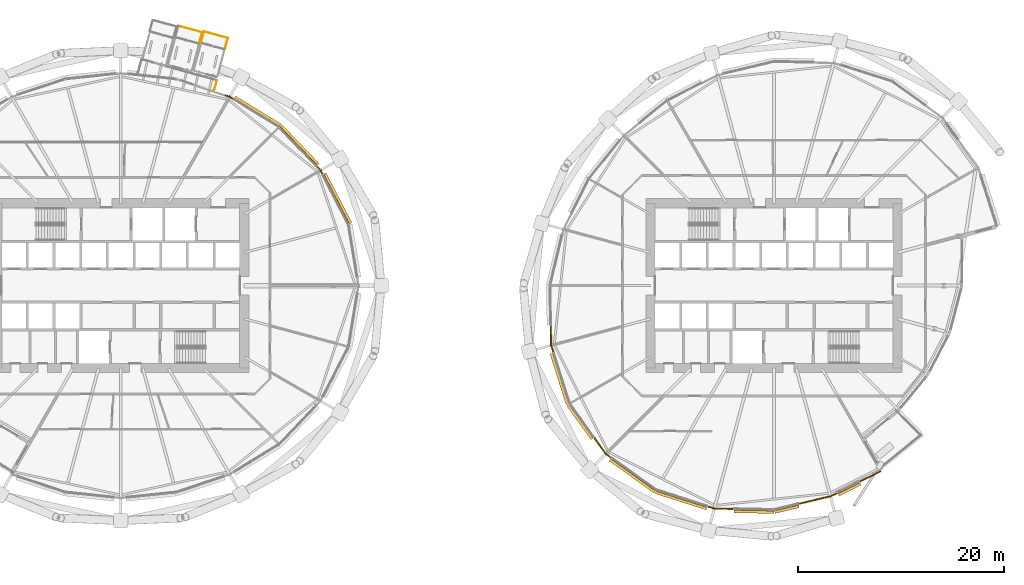
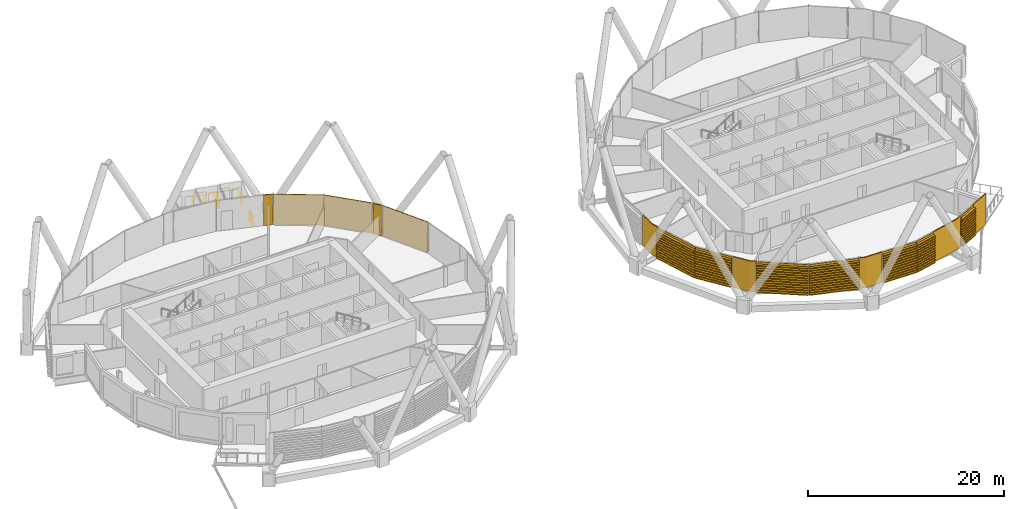
# One storey, part 37 of 40: 17 coverings, 6 railings.
"""IFC4 building model written with IfcOpenShell, lengths in metres."""

from ifc_helpers import new_model, si_unit, direction, frame, origin, origin_2d, place, context, subcontext, project, spatial, polyline, circle, outline, extrude, material, layer, layer_set, material_profile, profile_set, type_object, element, save


model = new_model("IFC4")

# Units and contexts
model_context = context("Model", 3, precision=1e-05, world=origin(), true_north=direction((0.0, 1.0)))
body_context = subcontext(model_context, "Body", "Model", "MODEL_VIEW")
ifc_project = project(units=[si_unit("LENGTHUNIT", "METRE"), si_unit("AREAUNIT", "SQUARE_METRE"), si_unit("VOLUMEUNIT", "CUBIC_METRE"), si_unit("PLANEANGLEUNIT", "RADIAN"), si_unit("MASSUNIT", "GRAM", prefix="KILO")], contexts=[model_context])

# Site, building, storey
site_placement = place(None, origin())
site = spatial("IfcSite", under=ifc_project, at=site_placement, CompositionType="ELEMENT")
building_placement = place(site_placement, origin())
building = spatial("IfcBuilding", under=site, at=building_placement, Name="Rimbun Link Towers", CompositionType="ELEMENT")
storey_placement = place(building_placement, frame((0.0, 0.0, 52.800048828125)))
storey = spatial("IfcBuildingStorey", under=building, at=storey_placement, Name="L12", CompositionType="ELEMENT", Elevation=52.800048828125)

# Railings
ifc_material_1 = material(Name="Stainless steel grade 316", Category="steel")
railing_type = type_object("IfcRailingType", Name="GUARD stainless rail and posts", PredefinedType="GUARDRAIL", material=ifc_material_1)
railing_1_placement = place(storey_placement, frame((-24.115478515625, 23.5556640625, 0.0)))
element("IfcRailing", 1, at=railing_1_placement, inside=storey, type_object=railing_type, Name="GUARD D121.02 balcony", PredefinedType="GUARDRAIL", context=body_context, shape_type="SweptSolid", body=[
    extrude(circle(Radius=0.02392578125, at=origin_2d()), frame((0.0, 0.0, 1.076171875), z_axis=(0.261915191828, 0.965090893279, 0.0), x_axis=(-0.965090893279, 0.261915191828, 0.0)), (0.0, 0.0, 1.0), 1.099853515625),
    extrude(circle(Radius=0.02099609375, at=origin_2d()), origin(), (0.0, 0.0, 1.0), 1.052001953125),
    extrude(circle(Radius=0.02099609375, at=origin_2d()), frame((0.2880859375, 1.0615234375, 0.0)), (0.0, 0.0, 1.0), 1.052001953125),
])
railing_2_placement = place(storey_placement, frame((-23.827392578125, 24.6171875, 0.0)))
element("IfcRailing", 2, at=railing_2_placement, inside=storey, type_object=railing_type, Name="GUARD D121.02 balcony", PredefinedType="GUARDRAIL", context=body_context, shape_type="SweptSolid", body=[
    extrude(circle(Radius=0.02392578125, at=origin_2d()), frame((0.0, 0.0, 1.076171875), z_axis=(-0.965108089312, 0.261851820585, 0.0), x_axis=(-0.261851820585, -0.965108089312, 0.0)), (0.0, 0.0, 1.0), 2.39990234375),
    extrude(circle(Radius=0.02099609375, at=origin_2d()), origin(), (0.0, 0.0, 1.0), 1.052001953125),
    extrude(circle(Radius=0.02099609375, at=origin_2d()), frame((-1.158203125, 0.314208984375, 0.0)), (0.0, 0.0, 1.0), 1.052001953125),
    extrude(circle(Radius=0.02099609375, at=origin_2d()), frame((-2.316162109375, 0.62841796875, 0.0)), (0.0, 0.0, 1.0), 1.052001953125),
])
railing_3_placement = place(storey_placement, frame((-21.625732421875, 23.004150390625, 0.0)))
element("IfcRailing", 3, at=railing_3_placement, inside=storey, type_object=railing_type, Name="GUARD D121.03 balcony", PredefinedType="GUARDRAIL", context=body_context, shape_type="SweptSolid", body=[
    extrude(circle(Radius=0.02392578125, at=origin_2d()), frame((0.0, 0.0, 1.076171875), z_axis=(0.261915191828, 0.965090893279, 0.0), x_axis=(-0.965090893279, 0.261915191828, 0.0)), (0.0, 0.0, 1.0), 1.099853515625),
    extrude(circle(Radius=0.02099609375, at=origin_2d()), origin(), (0.0, 0.0, 1.0), 1.052001953125),
    extrude(circle(Radius=0.02099609375, at=origin_2d()), frame((0.2880859375, 1.0615234375, 0.0)), (0.0, 0.0, 1.0), 1.052001953125),
])
railing_4_placement = place(storey_placement, frame((-21.337646484375, 24.065673828125, 0.0)))
element("IfcRailing", 4, at=railing_4_placement, inside=storey, type_object=railing_type, Name="GUARD D121.03 balcony", PredefinedType="GUARDRAIL", context=body_context, shape_type="SweptSolid", body=[
    extrude(circle(Radius=0.02392578125, at=origin_2d()), frame((0.0, 0.0, 1.076171875), z_axis=(-0.965115063511, 0.261826114405, 0.0), x_axis=(-0.261826114405, -0.965115063511, 0.0)), (0.0, 0.0, 1.0), 2.400146484375),
    extrude(circle(Radius=0.02099609375, at=origin_2d()), origin(), (0.0, 0.0, 1.0), 1.052001953125),
    extrude(circle(Radius=0.02099609375, at=origin_2d()), frame((-0.772216796875, 0.20947265625, 0.0)), (0.0, 0.0, 1.0), 1.052001953125),
    extrude(circle(Radius=0.02099609375, at=origin_2d()), frame((-1.544189453125, 0.4189453125, 0.0)), (0.0, 0.0, 1.0), 1.052001953125),
    extrude(circle(Radius=0.02099609375, at=origin_2d()), frame((-2.31640625, 0.62841796875, 0.0)), (0.0, 0.0, 1.0), 1.052001953125),
])
railing_5_placement = place(storey_placement, frame((-23.654052734375, 24.694091796875, 0.0)))
element("IfcRailing", 5, at=railing_5_placement, inside=storey, type_object=railing_type, Name="GUARD D121.03 balcony", PredefinedType="GUARDRAIL", context=body_context, shape_type="SweptSolid", body=[
    extrude(circle(Radius=0.02392578125, at=origin_2d()), frame((0.0, 0.0, 1.076171875), z_axis=(-0.261915191828, -0.965090893279, 0.0), x_axis=(0.965090893279, -0.261915191828, 0.0)), (0.0, 0.0, 1.0), 1.099853515625),
    extrude(circle(Radius=0.02099609375, at=origin_2d()), origin(), (0.0, 0.0, 1.0), 1.052001953125),
    extrude(circle(Radius=0.02099609375, at=origin_2d()), frame((-0.2880859375, -1.0615234375, 0.0)), (0.0, 0.0, 1.0), 1.052001953125),
])
railing_6_placement = place(storey_placement, frame((-22.399658203125, 19.961181640625, 0.0)))
element("IfcRailing", 6, at=railing_6_placement, inside=storey, type_object=railing_type, Name="GUARD D121 gallery", PredefinedType="GUARDRAIL", context=body_context, shape_type="SweptSolid", body=[
    extrude(circle(Radius=0.02392578125, at=origin_2d()), frame((0.0, 0.0, 1.076171875), z_axis=(-0.261703245026, -0.965148388354, 0.0), x_axis=(0.965148388354, -0.261703245026, 0.0)), (0.0, 0.0, 1.0), 1.037353515625),
    extrude(circle(Radius=0.02099609375, at=origin_2d()), origin(), (0.0, 0.0, 1.0), 1.052001953125),
    extrude(circle(Radius=0.02099609375, at=origin_2d()), frame((-0.271484375, -1.001220703125, 0.0)), (0.0, 0.0, 1.0), 1.052001953125),
])

# Coverings
ifc_material_2 = material(Name="Terracotta", Category="masonry")
ifc_layer = layer(ifc_material_2, 0.1201171875)
ifc_layer_set = layer_set([ifc_layer], Name="LINK PIER terracotta cladding 120")
covering_type_1 = type_object("IfcCoveringType", Name="LINK PIER terracotta cladding 120", PredefinedType="CLADDING", material=ifc_layer_set)
covering_1_placement = place(storey_placement, origin())
element("IfcCovering", 7, at=covering_1_placement, inside=storey, type_object=covering_type_1, Name="LINK PIER cladding", PredefinedType="CLADDING", context=body_context, shape_type="SweptSolid", body=[
    extrude(outline(polyline([(-12.736328125, 11.560546875), (-12.37646484375, 11.185302734375), (-12.18359375, 10.812255859375), (-12.076904296875, 10.867431640625), (-12.27783203125, 11.255859375), (-12.649658203125, 11.643798828125), (-12.736328125, 11.560546875)])), origin(), (0.0, 0.0, 1.0), 3.800048828125),
])
covering_2_placement = place(storey_placement, origin())
element("IfcCovering", 8, at=covering_2_placement, inside=storey, type_object=covering_type_1, Name="LINK PIER cladding", PredefinedType="CLADDING", context=body_context, shape_type="SweptSolid", body=[
    extrude(outline(polyline([(-21.672607421875, 18.47314453125), (-21.178955078125, 18.3095703125), (-20.821044921875, 18.08984375), (-20.75830078125, 18.19189453125), (-21.128173828125, 18.4189453125), (-21.634765625, 18.5869140625), (-21.672607421875, 18.47314453125)])), origin(), (0.0, 0.0, 1.0), 3.800048828125),
])
covering_3_placement = place(storey_placement, origin())
element("IfcCovering", 9, at=covering_3_placement, inside=storey, type_object=covering_type_1, Name="LINK PIER cladding", PredefinedType="CLADDING", context=body_context, shape_type="SweptSolid", body=[
    extrude(outline(polyline([(10.35986328125, -6.47607421875), (10.1416015625, -5.789794921875), (10.101318359375, -3.870361328125), (9.981201171875, -3.872802734375), (10.02197265625, -5.809814453125), (10.24560546875, -6.512451171875), (10.35986328125, -6.47607421875)])), origin(), (0.0, 0.0, 1.0), 3.800048828125),
])
covering_4_placement = place(storey_placement, origin())
element("IfcCovering", 10, at=covering_4_placement, inside=storey, type_object=covering_type_1, Name="LINK PIER cladding", PredefinedType="CLADDING", context=body_context, shape_type="SweptSolid", body=[
    extrude(outline(polyline([(15.940185546875, -16.675048828125), (15.436279296875, -16.313720703125), (14.317138671875, -14.753662109375), (14.219482421875, -14.82373046875), (15.350341796875, -16.399658203125), (15.8701171875, -16.7724609375), (15.940185546875, -16.675048828125)])), origin(), (0.0, 0.0, 1.0), 3.800048828125),
])
covering_5_placement = place(storey_placement, origin())
element("IfcCovering", 11, at=covering_5_placement, inside=storey, type_object=covering_type_1, Name="LINK PIER cladding", PredefinedType="CLADDING", context=body_context, shape_type="SweptSolid", body=[
    extrude(outline(polyline([(27.82958984375, -21.647705078125), (25.960205078125, -21.6083984375), (25.321533203125, -21.4052734375), (25.28515625, -21.51953125), (25.940185546875, -21.72802734375), (27.8271484375, -21.767578125), (27.82958984375, -21.647705078125)])), origin(), (0.0, 0.0, 1.0), 3.800048828125),
])
covering_6_placement = place(storey_placement, origin())
element("IfcCovering", 12, at=covering_6_placement, inside=storey, type_object=covering_type_1, Name="LINK PIER cladding", PredefinedType="CLADDING", context=body_context, shape_type="SweptSolid", body=[
    extrude(outline(polyline([(42.093505859375, -17.97509765625), (40.046875, -19.0029296875), (40.100830078125, -19.110107421875), (42.147216796875, -18.08251953125), (42.093505859375, -17.97509765625)])), origin(), (0.0, 0.0, 1.0), 3.800048828125),
])
covering_7_placement = place(storey_placement, origin())
element("IfcCovering", 13, at=covering_7_placement, inside=storey, type_object=covering_type_1, Name="LINK PIER cladding", PredefinedType="CLADDING", context=body_context, shape_type="SweptSolid", body=[
    extrude(outline(polyline([(37.865478515625, -20.098388671875), (37.221923828125, -20.421630859375), (34.138916015625, -21.158935546875), (34.166748046875, -21.275634765625), (37.263427734375, -20.53515625), (37.919189453125, -20.205810546875), (37.865478515625, -20.098388671875)])), origin(), (0.0, 0.0, 1.0), 3.800048828125),
])
ifc_material_3 = material(Name="Terracotta", Category="masonry")
ifc_material_profile = material_profile(ifc_material_3, outline(polyline([(0.123046875, 0.0), (0.1630859375, 0.0), (0.1630859375, 0.10009765625), (0.423095703125, 0.10009765625), (0.423095703125, 0.219970703125), (0.1630859375, 0.219970703125), (0.1630859375, 0.39990234375), (0.423095703125, 0.39990234375), (0.423095703125, 0.52001953125), (0.1630859375, 0.52001953125), (0.1630859375, 0.699951171875), (0.423095703125, 0.699951171875), (0.423095703125, 0.820068359375), (0.1630859375, 0.820068359375), (0.1630859375, 1.0), (0.423095703125, 1.0), (0.423095703125, 1.1201171875), (0.1630859375, 1.1201171875), (0.1630859375, 1.300048828125), (0.423095703125, 1.300048828125), (0.423095703125, 1.419921875), (0.1630859375, 1.419921875), (0.1630859375, 1.60009765625), (0.423095703125, 1.60009765625), (0.423095703125, 1.719970703125), (0.1630859375, 1.719970703125), (0.1630859375, 1.89990234375), (0.423095703125, 1.89990234375), (0.423095703125, 2.02001953125), (0.1630859375, 2.02001953125), (0.1630859375, 2.199951171875), (0.423095703125, 2.199951171875), (0.423095703125, 2.320068359375), (0.1630859375, 2.320068359375), (0.1630859375, 2.5), (0.423095703125, 2.5), (0.423095703125, 2.6201171875), (0.1630859375, 2.6201171875), (0.1630859375, 2.800048828125), (0.423095703125, 2.800048828125), (0.423095703125, 2.919921875), (0.1630859375, 2.919921875), (0.1630859375, 3.10009765625), (0.423095703125, 3.10009765625), (0.423095703125, 3.219970703125), (0.1630859375, 3.219970703125), (0.1630859375, 3.39990234375), (0.423095703125, 3.39990234375), (0.423095703125, 3.52001953125), (0.1630859375, 3.52001953125), (0.1630859375, 3.800048828125), (0.123046875, 3.800048828125), (0.123046875, 0.0)])), Name="BAGUETTE 120X300")
ifc_profile_set = profile_set([ifc_material_profile], Name="Terracotta")
covering_type_2 = type_object("IfcCoveringType", Name="TERRACOTTA BAGUETTE 120X300 H3800", PredefinedType="CLADDING", material=ifc_profile_set)
covering_8_placement = place(storey_placement, frame((-12.169677734375, 10.78564453125, 0.0), z_axis=(0.459544172311, -0.88815491537, 0.0), x_axis=(0.88815491537, 0.459544172311, 0.0)))
element("IfcCovering", 14, at=covering_8_placement, inside=storey, type_object=covering_type_2, Name="TERRACOTTA BAGUETTE", PredefinedType="CLADDING", context=body_context, shape_type="SweptSolid", body=[
    extrude(outline(polyline([(0.123046875, 0.0), (0.1630859375, 0.0), (0.1630859375, 0.10009765625), (0.423095703125, 0.10009765625), (0.423095703125, 0.219970703125), (0.1630859375, 0.219970703125), (0.1630859375, 0.39990234375), (0.423095703125, 0.39990234375), (0.423095703125, 0.52001953125), (0.1630859375, 0.52001953125), (0.1630859375, 0.699951171875), (0.423095703125, 0.699951171875), (0.423095703125, 0.820068359375), (0.1630859375, 0.820068359375), (0.1630859375, 1.0), (0.423095703125, 1.0), (0.423095703125, 1.1201171875), (0.1630859375, 1.1201171875), (0.1630859375, 1.300048828125), (0.423095703125, 1.300048828125), (0.423095703125, 1.419921875), (0.1630859375, 1.419921875), (0.1630859375, 1.60009765625), (0.423095703125, 1.60009765625), (0.423095703125, 1.719970703125), (0.1630859375, 1.719970703125), (0.1630859375, 1.89990234375), (0.423095703125, 1.89990234375), (0.423095703125, 2.02001953125), (0.1630859375, 2.02001953125), (0.1630859375, 2.199951171875), (0.423095703125, 2.199951171875), (0.423095703125, 2.320068359375), (0.1630859375, 2.320068359375), (0.1630859375, 2.5), (0.423095703125, 2.5), (0.423095703125, 2.6201171875), (0.1630859375, 2.6201171875), (0.1630859375, 2.800048828125), (0.423095703125, 2.800048828125), (0.423095703125, 2.919921875), (0.1630859375, 2.919921875), (0.1630859375, 3.10009765625), (0.423095703125, 3.10009765625), (0.423095703125, 3.219970703125), (0.1630859375, 3.219970703125), (0.1630859375, 3.39990234375), (0.423095703125, 3.39990234375), (0.423095703125, 3.52001953125), (0.1630859375, 3.52001953125), (0.1630859375, 3.800048828125), (0.123046875, 3.800048828125), (0.123046875, 0.0)])), origin(), (0.0, 0.0, 1.0), 5.477294921875),
])
covering_9_placement = place(storey_placement, frame((-16.384521484375, 15.365478515625, 0.0), z_axis=(0.692091493196, -0.721809784531, 0.0), x_axis=(0.721809784531, 0.692091493196, 0.0)))
element("IfcCovering", 15, at=covering_9_placement, inside=storey, type_object=covering_type_2, Name="TERRACOTTA BAGUETTE", PredefinedType="CLADDING", context=body_context, shape_type="SweptSolid", body=[
    extrude(outline(polyline([(0.123046875, 0.0), (0.1630859375, 0.0), (0.1630859375, 0.10009765625), (0.423095703125, 0.10009765625), (0.423095703125, 0.219970703125), (0.1630859375, 0.219970703125), (0.1630859375, 0.39990234375), (0.423095703125, 0.39990234375), (0.423095703125, 0.52001953125), (0.1630859375, 0.52001953125), (0.1630859375, 0.699951171875), (0.423095703125, 0.699951171875), (0.423095703125, 0.820068359375), (0.1630859375, 0.820068359375), (0.1630859375, 1.0), (0.423095703125, 1.0), (0.423095703125, 1.1201171875), (0.1630859375, 1.1201171875), (0.1630859375, 1.300048828125), (0.423095703125, 1.300048828125), (0.423095703125, 1.419921875), (0.1630859375, 1.419921875), (0.1630859375, 1.60009765625), (0.423095703125, 1.60009765625), (0.423095703125, 1.719970703125), (0.1630859375, 1.719970703125), (0.1630859375, 1.89990234375), (0.423095703125, 1.89990234375), (0.423095703125, 2.02001953125), (0.1630859375, 2.02001953125), (0.1630859375, 2.199951171875), (0.423095703125, 2.199951171875), (0.423095703125, 2.320068359375), (0.1630859375, 2.320068359375), (0.1630859375, 2.5), (0.423095703125, 2.5), (0.423095703125, 2.6201171875), (0.1630859375, 2.6201171875), (0.1630859375, 2.800048828125), (0.423095703125, 2.800048828125), (0.423095703125, 2.919921875), (0.1630859375, 2.919921875), (0.1630859375, 3.10009765625), (0.423095703125, 3.10009765625), (0.423095703125, 3.219970703125), (0.1630859375, 3.219970703125), (0.1630859375, 3.39990234375), (0.423095703125, 3.39990234375), (0.423095703125, 3.52001953125), (0.1630859375, 3.52001953125), (0.1630859375, 3.800048828125), (0.123046875, 3.800048828125), (0.123046875, 0.0)])), origin(), (0.0, 0.0, 1.0), 5.2412109375),
])
covering_10_placement = place(storey_placement, frame((-20.79541015625, 18.073974609375, 0.0), z_axis=(0.852166428859, -0.523270845285, 0.0), x_axis=(0.523270845285, 0.852166428859, 0.0)))
element("IfcCovering", 16, at=covering_10_placement, inside=storey, type_object=covering_type_2, Name="TERRACOTTA BAGUETTE", PredefinedType="CLADDING", context=body_context, shape_type="SweptSolid", body=[
    extrude(outline(polyline([(0.123046875, 0.0), (0.1630859375, 0.0), (0.1630859375, 0.10009765625), (0.423095703125, 0.10009765625), (0.423095703125, 0.219970703125), (0.1630859375, 0.219970703125), (0.1630859375, 0.39990234375), (0.423095703125, 0.39990234375), (0.423095703125, 0.52001953125), (0.1630859375, 0.52001953125), (0.1630859375, 0.699951171875), (0.423095703125, 0.699951171875), (0.423095703125, 0.820068359375), (0.1630859375, 0.820068359375), (0.1630859375, 1.0), (0.423095703125, 1.0), (0.423095703125, 1.1201171875), (0.1630859375, 1.1201171875), (0.1630859375, 1.300048828125), (0.423095703125, 1.300048828125), (0.423095703125, 1.419921875), (0.1630859375, 1.419921875), (0.1630859375, 1.60009765625), (0.423095703125, 1.60009765625), (0.423095703125, 1.719970703125), (0.1630859375, 1.719970703125), (0.1630859375, 1.89990234375), (0.423095703125, 1.89990234375), (0.423095703125, 2.02001953125), (0.1630859375, 2.02001953125), (0.1630859375, 2.199951171875), (0.423095703125, 2.199951171875), (0.423095703125, 2.320068359375), (0.1630859375, 2.320068359375), (0.1630859375, 2.5), (0.423095703125, 2.5), (0.423095703125, 2.6201171875), (0.1630859375, 2.6201171875), (0.1630859375, 2.800048828125), (0.423095703125, 2.800048828125), (0.423095703125, 2.919921875), (0.1630859375, 2.919921875), (0.1630859375, 3.10009765625), (0.423095703125, 3.10009765625), (0.423095703125, 3.219970703125), (0.1630859375, 3.219970703125), (0.1630859375, 3.39990234375), (0.423095703125, 3.39990234375), (0.423095703125, 3.52001953125), (0.1630859375, 3.52001953125), (0.1630859375, 3.800048828125), (0.123046875, 3.800048828125), (0.123046875, 0.0)])), origin(), (0.0, 0.0, 1.0), 5.176025390625),
])
covering_11_placement = place(storey_placement, frame((11.93798828125, -11.4384765625, 0.0), z_axis=(-0.303069353563, 0.952968502591, 0.0), x_axis=(-0.952968502591, -0.303069353563, 0.0)))
element("IfcCovering", 17, at=covering_11_placement, inside=storey, type_object=covering_type_2, Name="TERRACOTTA BAGUETTE", PredefinedType="CLADDING", context=body_context, shape_type="SweptSolid", body=[
    extrude(outline(polyline([(0.123046875, 0.0), (0.1630859375, 0.0), (0.1630859375, 0.10009765625), (0.423095703125, 0.10009765625), (0.423095703125, 0.219970703125), (0.1630859375, 0.219970703125), (0.1630859375, 0.39990234375), (0.423095703125, 0.39990234375), (0.423095703125, 0.52001953125), (0.1630859375, 0.52001953125), (0.1630859375, 0.699951171875), (0.423095703125, 0.699951171875), (0.423095703125, 0.820068359375), (0.1630859375, 0.820068359375), (0.1630859375, 1.0), (0.423095703125, 1.0), (0.423095703125, 1.1201171875), (0.1630859375, 1.1201171875), (0.1630859375, 1.300048828125), (0.423095703125, 1.300048828125), (0.423095703125, 1.419921875), (0.1630859375, 1.419921875), (0.1630859375, 1.60009765625), (0.423095703125, 1.60009765625), (0.423095703125, 1.719970703125), (0.1630859375, 1.719970703125), (0.1630859375, 1.89990234375), (0.423095703125, 1.89990234375), (0.423095703125, 2.02001953125), (0.1630859375, 2.02001953125), (0.1630859375, 2.199951171875), (0.423095703125, 2.199951171875), (0.423095703125, 2.320068359375), (0.1630859375, 2.320068359375), (0.1630859375, 2.5), (0.423095703125, 2.5), (0.423095703125, 2.6201171875), (0.1630859375, 2.6201171875), (0.1630859375, 2.800048828125), (0.423095703125, 2.800048828125), (0.423095703125, 2.919921875), (0.1630859375, 2.919921875), (0.1630859375, 3.10009765625), (0.423095703125, 3.10009765625), (0.423095703125, 3.219970703125), (0.1630859375, 3.219970703125), (0.1630859375, 3.39990234375), (0.423095703125, 3.39990234375), (0.423095703125, 3.52001953125), (0.1630859375, 3.52001953125), (0.1630859375, 3.800048828125), (0.123046875, 3.800048828125), (0.123046875, 0.0)])), origin(), (0.0, 0.0, 1.0), 5.17724609375),
])
covering_12_placement = place(storey_placement, frame((14.299560546875, -14.729248046875, 0.0), z_axis=(-0.583038497877, 0.812444527333, 0.0), x_axis=(-0.812444527333, -0.583038497877, 0.0)))
element("IfcCovering", 18, at=covering_12_placement, inside=storey, type_object=covering_type_2, Name="TERRACOTTA BAGUETTE", PredefinedType="CLADDING", context=body_context, shape_type="SweptSolid", body=[
    extrude(outline(polyline([(0.123046875, 0.0), (0.1630859375, 0.0), (0.1630859375, 0.10009765625), (0.423095703125, 0.10009765625), (0.423095703125, 0.219970703125), (0.1630859375, 0.219970703125), (0.1630859375, 0.39990234375), (0.423095703125, 0.39990234375), (0.423095703125, 0.52001953125), (0.1630859375, 0.52001953125), (0.1630859375, 0.699951171875), (0.423095703125, 0.699951171875), (0.423095703125, 0.820068359375), (0.1630859375, 0.820068359375), (0.1630859375, 1.0), (0.423095703125, 1.0), (0.423095703125, 1.1201171875), (0.1630859375, 1.1201171875), (0.1630859375, 1.300048828125), (0.423095703125, 1.300048828125), (0.423095703125, 1.419921875), (0.1630859375, 1.419921875), (0.1630859375, 1.60009765625), (0.423095703125, 1.60009765625), (0.423095703125, 1.719970703125), (0.1630859375, 1.719970703125), (0.1630859375, 1.89990234375), (0.423095703125, 1.89990234375), (0.423095703125, 2.02001953125), (0.1630859375, 2.02001953125), (0.1630859375, 2.199951171875), (0.423095703125, 2.199951171875), (0.423095703125, 2.320068359375), (0.1630859375, 2.320068359375), (0.1630859375, 2.5), (0.423095703125, 2.5), (0.423095703125, 2.6201171875), (0.1630859375, 2.6201171875), (0.1630859375, 2.800048828125), (0.423095703125, 2.800048828125), (0.423095703125, 2.919921875), (0.1630859375, 2.919921875), (0.1630859375, 3.10009765625), (0.423095703125, 3.10009765625), (0.423095703125, 3.219970703125), (0.1630859375, 3.219970703125), (0.1630859375, 3.39990234375), (0.423095703125, 3.39990234375), (0.423095703125, 3.52001953125), (0.1630859375, 3.52001953125), (0.1630859375, 3.800048828125), (0.123046875, 3.800048828125), (0.123046875, 0.0)])), origin(), (0.0, 0.0, 1.0), 4.050537109375),
])
covering_13_placement = place(storey_placement, frame((20.3115234375, -19.81201171875, 0.0), z_axis=(-0.812455081964, 0.583023790073, 0.0), x_axis=(-0.583023790073, -0.812455081964, 0.0)))
element("IfcCovering", 19, at=covering_13_placement, inside=storey, type_object=covering_type_2, Name="TERRACOTTA BAGUETTE", PredefinedType="CLADDING", context=body_context, shape_type="SweptSolid", body=[
    extrude(outline(polyline([(0.123046875, 0.0), (0.1630859375, 0.0), (0.1630859375, 0.10009765625), (0.423095703125, 0.10009765625), (0.423095703125, 0.219970703125), (0.1630859375, 0.219970703125), (0.1630859375, 0.39990234375), (0.423095703125, 0.39990234375), (0.423095703125, 0.52001953125), (0.1630859375, 0.52001953125), (0.1630859375, 0.699951171875), (0.423095703125, 0.699951171875), (0.423095703125, 0.820068359375), (0.1630859375, 0.820068359375), (0.1630859375, 1.0), (0.423095703125, 1.0), (0.423095703125, 1.1201171875), (0.1630859375, 1.1201171875), (0.1630859375, 1.300048828125), (0.423095703125, 1.300048828125), (0.423095703125, 1.419921875), (0.1630859375, 1.419921875), (0.1630859375, 1.60009765625), (0.423095703125, 1.60009765625), (0.423095703125, 1.719970703125), (0.1630859375, 1.719970703125), (0.1630859375, 1.89990234375), (0.423095703125, 1.89990234375), (0.423095703125, 2.02001953125), (0.1630859375, 2.02001953125), (0.1630859375, 2.199951171875), (0.423095703125, 2.199951171875), (0.423095703125, 2.320068359375), (0.1630859375, 2.320068359375), (0.1630859375, 2.5), (0.423095703125, 2.5), (0.423095703125, 2.6201171875), (0.1630859375, 2.6201171875), (0.1630859375, 2.800048828125), (0.423095703125, 2.800048828125), (0.423095703125, 2.919921875), (0.1630859375, 2.919921875), (0.1630859375, 3.10009765625), (0.423095703125, 3.10009765625), (0.423095703125, 3.219970703125), (0.1630859375, 3.219970703125), (0.1630859375, 3.39990234375), (0.423095703125, 3.39990234375), (0.423095703125, 3.52001953125), (0.1630859375, 3.52001953125), (0.1630859375, 3.800048828125), (0.123046875, 3.800048828125), (0.123046875, 0.0)])), origin(), (0.0, 0.0, 1.0), 5.350341796875),
])
covering_14_placement = place(storey_placement, frame((25.29296875, -21.396240234375, 0.0), z_axis=(-0.952968707508, 0.303068709225, 0.0), x_axis=(-0.303068709225, -0.952968707508, 0.0)))
element("IfcCovering", 20, at=covering_14_placement, inside=storey, type_object=covering_type_2, Name="TERRACOTTA BAGUETTE", PredefinedType="CLADDING", context=body_context, shape_type="SweptSolid", body=[
    extrude(outline(polyline([(0.123046875, 0.0), (0.1630859375, 0.0), (0.1630859375, 0.10009765625), (0.423095703125, 0.10009765625), (0.423095703125, 0.219970703125), (0.1630859375, 0.219970703125), (0.1630859375, 0.39990234375), (0.423095703125, 0.39990234375), (0.423095703125, 0.52001953125), (0.1630859375, 0.52001953125), (0.1630859375, 0.699951171875), (0.423095703125, 0.699951171875), (0.423095703125, 0.820068359375), (0.1630859375, 0.820068359375), (0.1630859375, 1.0), (0.423095703125, 1.0), (0.423095703125, 1.1201171875), (0.1630859375, 1.1201171875), (0.1630859375, 1.300048828125), (0.423095703125, 1.300048828125), (0.423095703125, 1.419921875), (0.1630859375, 1.419921875), (0.1630859375, 1.60009765625), (0.423095703125, 1.60009765625), (0.423095703125, 1.719970703125), (0.1630859375, 1.719970703125), (0.1630859375, 1.89990234375), (0.423095703125, 1.89990234375), (0.423095703125, 2.02001953125), (0.1630859375, 2.02001953125), (0.1630859375, 2.199951171875), (0.423095703125, 2.199951171875), (0.423095703125, 2.320068359375), (0.1630859375, 2.320068359375), (0.1630859375, 2.5), (0.423095703125, 2.5), (0.423095703125, 2.6201171875), (0.1630859375, 2.6201171875), (0.1630859375, 2.800048828125), (0.423095703125, 2.800048828125), (0.423095703125, 2.919921875), (0.1630859375, 2.919921875), (0.1630859375, 3.10009765625), (0.423095703125, 3.10009765625), (0.423095703125, 3.219970703125), (0.1630859375, 3.219970703125), (0.1630859375, 3.39990234375), (0.423095703125, 3.39990234375), (0.423095703125, 3.52001953125), (0.1630859375, 3.52001953125), (0.1630859375, 3.800048828125), (0.123046875, 3.800048828125), (0.123046875, 0.0)])), origin(), (0.0, 0.0, 1.0), 5.227294921875),
])
covering_15_placement = place(storey_placement, frame((31.75, -21.730224609375, 0.0), z_axis=(-0.999779091943, 0.021018261425, 0.0), x_axis=(-0.021018261425, -0.999779091943, 0.0)))
element("IfcCovering", 21, at=covering_15_placement, inside=storey, type_object=covering_type_2, Name="TERRACOTTA BAGUETTE", PredefinedType="CLADDING", context=body_context, shape_type="SweptSolid", body=[
    extrude(outline(polyline([(0.123046875, 0.0), (0.1630859375, 0.0), (0.1630859375, 0.10009765625), (0.423095703125, 0.10009765625), (0.423095703125, 0.219970703125), (0.1630859375, 0.219970703125), (0.1630859375, 0.39990234375), (0.423095703125, 0.39990234375), (0.423095703125, 0.52001953125), (0.1630859375, 0.52001953125), (0.1630859375, 0.699951171875), (0.423095703125, 0.699951171875), (0.423095703125, 0.820068359375), (0.1630859375, 0.820068359375), (0.1630859375, 1.0), (0.423095703125, 1.0), (0.423095703125, 1.1201171875), (0.1630859375, 1.1201171875), (0.1630859375, 1.300048828125), (0.423095703125, 1.300048828125), (0.423095703125, 1.419921875), (0.1630859375, 1.419921875), (0.1630859375, 1.60009765625), (0.423095703125, 1.60009765625), (0.423095703125, 1.719970703125), (0.1630859375, 1.719970703125), (0.1630859375, 1.89990234375), (0.423095703125, 1.89990234375), (0.423095703125, 2.02001953125), (0.1630859375, 2.02001953125), (0.1630859375, 2.199951171875), (0.423095703125, 2.199951171875), (0.423095703125, 2.320068359375), (0.1630859375, 2.320068359375), (0.1630859375, 2.5), (0.423095703125, 2.5), (0.423095703125, 2.6201171875), (0.1630859375, 2.6201171875), (0.1630859375, 2.800048828125), (0.423095703125, 2.800048828125), (0.423095703125, 2.919921875), (0.1630859375, 2.919921875), (0.1630859375, 3.10009765625), (0.423095703125, 3.10009765625), (0.423095703125, 3.219970703125), (0.1630859375, 3.219970703125), (0.1630859375, 3.39990234375), (0.423095703125, 3.39990234375), (0.423095703125, 3.52001953125), (0.1630859375, 3.52001953125), (0.1630859375, 3.800048828125), (0.123046875, 3.800048828125), (0.123046875, 0.0)])), origin(), (0.0, 0.0, 1.0), 3.891357421875),
])
covering_16_placement = place(storey_placement, frame((34.10986328125, -21.166015625, 0.0), z_axis=(-0.972588786306, -0.232531831694, 0.0), x_axis=(0.232531831694, -0.972588786306, 0.0)))
element("IfcCovering", 22, at=covering_16_placement, inside=storey, type_object=covering_type_2, Name="TERRACOTTA BAGUETTE", PredefinedType="CLADDING", context=body_context, shape_type="SweptSolid", body=[
    extrude(outline(polyline([(0.123046875, 0.0), (0.1630859375, 0.0), (0.1630859375, 0.10009765625), (0.423095703125, 0.10009765625), (0.423095703125, 0.219970703125), (0.1630859375, 0.219970703125), (0.1630859375, 0.39990234375), (0.423095703125, 0.39990234375), (0.423095703125, 0.52001953125), (0.1630859375, 0.52001953125), (0.1630859375, 0.699951171875), (0.423095703125, 0.699951171875), (0.423095703125, 0.820068359375), (0.1630859375, 0.820068359375), (0.1630859375, 1.0), (0.423095703125, 1.0), (0.423095703125, 1.1201171875), (0.1630859375, 1.1201171875), (0.1630859375, 1.300048828125), (0.423095703125, 1.300048828125), (0.423095703125, 1.419921875), (0.1630859375, 1.419921875), (0.1630859375, 1.60009765625), (0.423095703125, 1.60009765625), (0.423095703125, 1.719970703125), (0.1630859375, 1.719970703125), (0.1630859375, 1.89990234375), (0.423095703125, 1.89990234375), (0.423095703125, 2.02001953125), (0.1630859375, 2.02001953125), (0.1630859375, 2.199951171875), (0.423095703125, 2.199951171875), (0.423095703125, 2.320068359375), (0.1630859375, 2.320068359375), (0.1630859375, 2.5), (0.423095703125, 2.5), (0.423095703125, 2.6201171875), (0.1630859375, 2.6201171875), (0.1630859375, 2.800048828125), (0.423095703125, 2.800048828125), (0.423095703125, 2.919921875), (0.1630859375, 2.919921875), (0.1630859375, 3.10009765625), (0.423095703125, 3.10009765625), (0.423095703125, 3.219970703125), (0.1630859375, 3.219970703125), (0.1630859375, 3.39990234375), (0.423095703125, 3.39990234375), (0.423095703125, 3.52001953125), (0.1630859375, 3.52001953125), (0.1630859375, 3.800048828125), (0.123046875, 3.800048828125), (0.123046875, 0.0)])), origin(), (0.0, 0.0, 1.0), 2.42626953125),
])
covering_17_placement = place(storey_placement, frame((40.020263671875, -19.016357421875, 0.0), z_axis=(-0.893646609528, -0.448771364147, 0.0), x_axis=(0.448771364147, -0.893646609528, 0.0)))
element("IfcCovering", 23, at=covering_17_placement, inside=storey, type_object=covering_type_2, Name="TERRACOTTA BAGUETTE", PredefinedType="CLADDING", context=body_context, shape_type="SweptSolid", body=[
    extrude(outline(polyline([(0.123046875, 0.0), (0.1630859375, 0.0), (0.1630859375, 0.10009765625), (0.423095703125, 0.10009765625), (0.423095703125, 0.219970703125), (0.1630859375, 0.219970703125), (0.1630859375, 0.39990234375), (0.423095703125, 0.39990234375), (0.423095703125, 0.52001953125), (0.1630859375, 0.52001953125), (0.1630859375, 0.699951171875), (0.423095703125, 0.699951171875), (0.423095703125, 0.820068359375), (0.1630859375, 0.820068359375), (0.1630859375, 1.0), (0.423095703125, 1.0), (0.423095703125, 1.1201171875), (0.1630859375, 1.1201171875), (0.1630859375, 1.300048828125), (0.423095703125, 1.300048828125), (0.423095703125, 1.419921875), (0.1630859375, 1.419921875), (0.1630859375, 1.60009765625), (0.423095703125, 1.60009765625), (0.423095703125, 1.719970703125), (0.1630859375, 1.719970703125), (0.1630859375, 1.89990234375), (0.423095703125, 1.89990234375), (0.423095703125, 2.02001953125), (0.1630859375, 2.02001953125), (0.1630859375, 2.199951171875), (0.423095703125, 2.199951171875), (0.423095703125, 2.320068359375), (0.1630859375, 2.320068359375), (0.1630859375, 2.5), (0.423095703125, 2.5), (0.423095703125, 2.6201171875), (0.1630859375, 2.6201171875), (0.1630859375, 2.800048828125), (0.423095703125, 2.800048828125), (0.423095703125, 2.919921875), (0.1630859375, 2.919921875), (0.1630859375, 3.10009765625), (0.423095703125, 3.10009765625), (0.423095703125, 3.219970703125), (0.1630859375, 3.219970703125), (0.1630859375, 3.39990234375), (0.423095703125, 3.39990234375), (0.423095703125, 3.52001953125), (0.1630859375, 3.52001953125), (0.1630859375, 3.800048828125), (0.123046875, 3.800048828125), (0.123046875, 0.0)])), origin(), (0.0, 0.0, 1.0), 2.381103515625),
])

save(model, "model.ifc")
